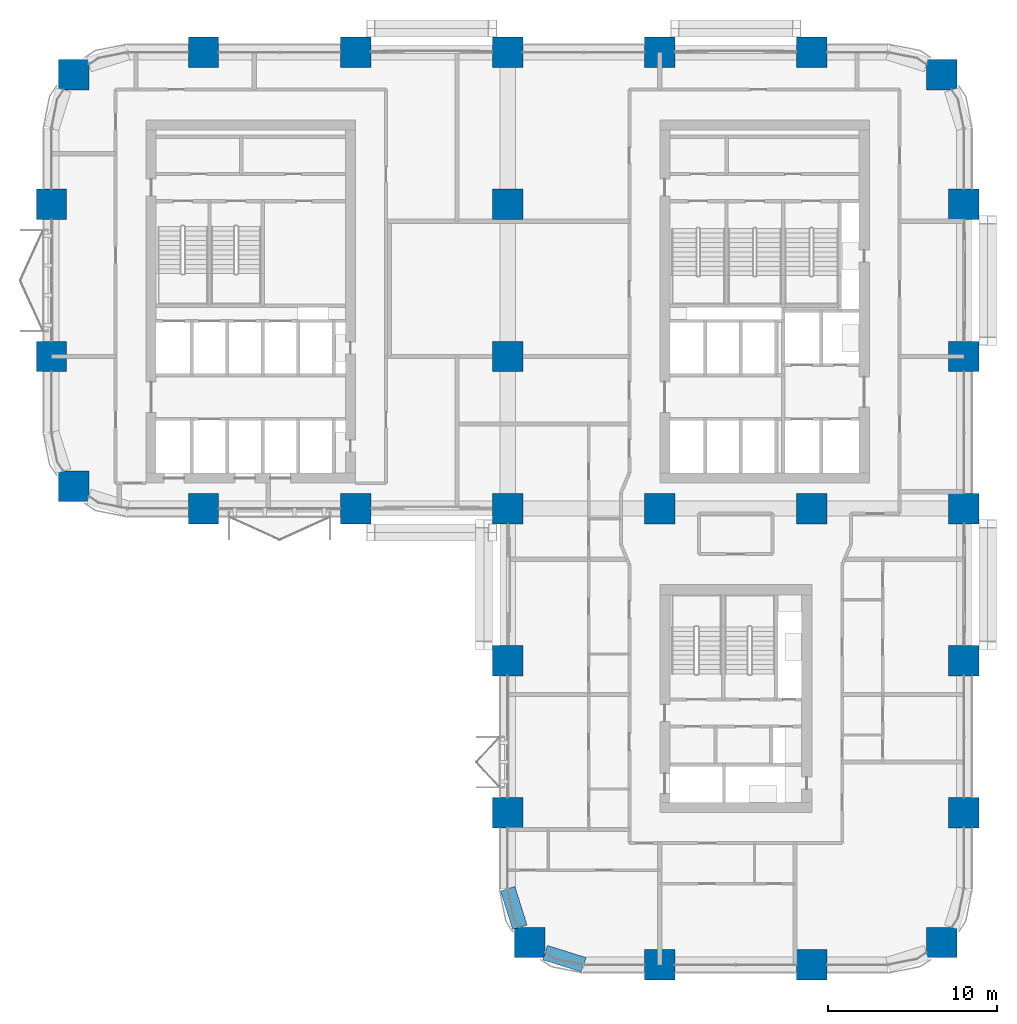
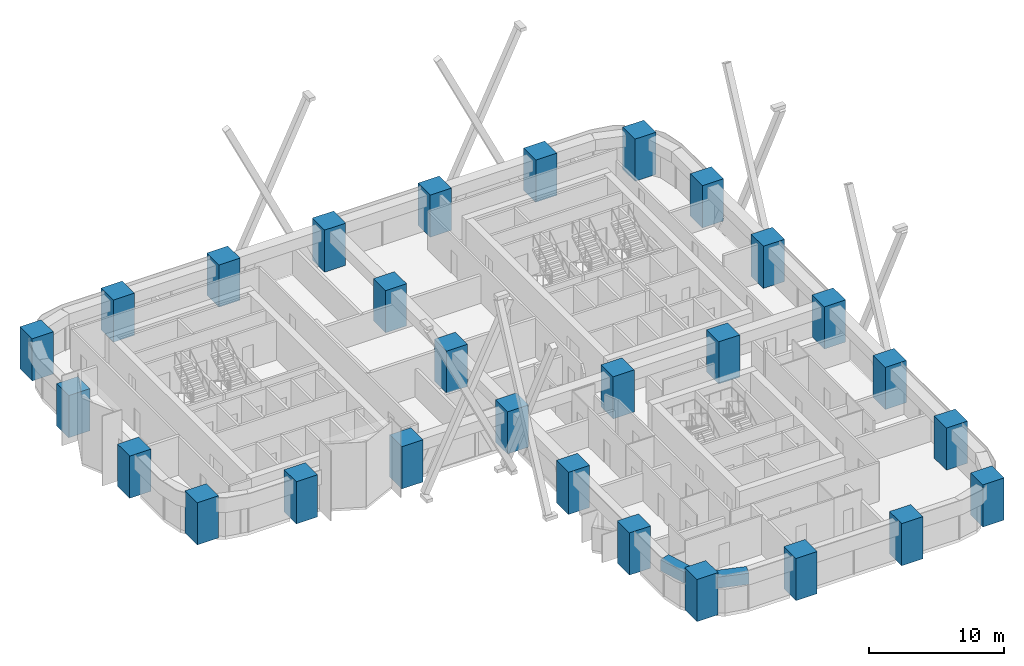
# One storey, part 1 of 19: 28 columns, 2 beams.
"""IFC4 building model written with IfcOpenShell, lengths in metres."""

from ifc_helpers import new_model, si_unit, direction, frame, origin, origin_2d, place, context, subcontext, project, spatial, rectangle, extrude, material, material_profile, profile_set, type_object, element, save


model = new_model("IFC4")

# Units and contexts
model_context = context("Model", 3, precision=1e-05, world=origin(), true_north=direction((0.0, 1.0)))
body_context = subcontext(model_context, "Body", "Model", "MODEL_VIEW")
ifc_project = project(units=[si_unit("LENGTHUNIT", "METRE"), si_unit("AREAUNIT", "SQUARE_METRE"), si_unit("VOLUMEUNIT", "CUBIC_METRE"), si_unit("PLANEANGLEUNIT", "RADIAN"), si_unit("MASSUNIT", "GRAM", prefix="KILO")], contexts=[model_context])

# Site, building, storey
site_placement = place(None, origin())
site = spatial("IfcSite", under=ifc_project, at=site_placement, CompositionType="ELEMENT")
building_placement = place(site_placement, origin())
building = spatial("IfcBuilding", under=site, at=building_placement, Name="Tessera Arch", CompositionType="ELEMENT")
storey_placement = place(building_placement, frame((0.0, 0.0, 108.199951171875)))
storey = spatial("IfcBuildingStorey", under=building, at=storey_placement, Name="L25", CompositionType="ELEMENT", Elevation=108.199951171875)

# Columns
ifc_material_1 = material(Name="Concrete C80/95", Category="concrete")
ifc_material_profile_1 = material_profile(ifc_material_1, rectangle(XDim=1.800048828125, YDim=1.800048828125, at=origin_2d()), Name="RC column 1800 x 1800 Concrete C80/95")
ifc_profile_set_1 = profile_set([ifc_material_profile_1], Name="Concrete C80/95")
column_type = type_object("IfcColumnType", Name="RC column 1800 x 1800 Concrete C80/95", PredefinedType="COLUMN", material=ifc_profile_set_1)
for number, where, z_axis, x_axis, name in (
    (1, (1.318115234375, 28.318115234375, 0.0), (0.0, 0.0, 1.0), (1.0, 0.0, 0.0), "Column C1D L25"),
    (2, (0.0, 36.0, 0.0), (0.0, 0.0, 1.0), (1.0, 0.0, 0.0), "Column C1E L25"),
    (3, (0.0, 45.0, 0.0), (0.0, 0.0, 1.0), (1.0, 0.0, 0.0), "Column C1F L25"),
    (4, (1.318115234375, 52.681884765625, 0.0), (0.0, 0.0, 1.0), (1.0, 0.0, 0.0), "Column C1G L25"),
    (5, (9.0, 27.0, 0.0), (0.0, 0.0, 1.0), (1.0, 0.0, 0.0), "Column C2D L25"),
    (6, (9.0, 54.0, 0.0), (0.0, 0.0, 1.0), (1.0, 0.0, 0.0), "Column C2G L25"),
    (7, (18.0, 27.0, 0.0), (0.0, 0.0, 1.0), (1.0, 0.0, 0.0), "Column C3D L25"),
    (8, (18.0, 54.0, 0.0), (0.0, 0.0, 1.0), (1.0, 0.0, 0.0), "Column C3G L25"),
    (9, (28.318115234375, 1.318115234375, 0.0), (0.0, 0.0, 1.0), (1.0, 0.0, 0.0), "Column C4A L25"),
    (10, (27.0, 9.0, 0.0), (0.0, 0.0, 1.0), (1.0, 0.0, 0.0), "Column C4B L25"),
    (11, (27.0, 18.0, 0.0), (0.0, 0.0, 1.0), (1.0, 0.0, 0.0), "Column C4C L25"),
    (12, (27.0, 27.0, 0.0), (0.0, 0.0, 1.0), (1.0, 0.0, 0.0), "Column C4D L25"),
    (13, (27.0, 36.0, 0.0), (0.0, 0.0, 1.0), (1.0, 0.0, 0.0), "Column C4E L25"),
    (14, (27.0, 45.0, 0.0), (0.0, 0.0, 1.0), (1.0, 0.0, 0.0), "Column C4F L25"),
    (15, (27.0, 54.0, 0.0), (0.0, 0.0, 1.0), (1.0, 0.0, 0.0), "Column C4G L25"),
    (16, (36.0, 0.0, 0.0), (0.0, 0.0, 1.0), (1.0, 0.0, 0.0), "Column C5A L25"),
    (17, (36.0, 27.0, 0.0), (0.0, 0.0, 1.0), (1.0, 0.0, 0.0), "Column C5D L25"),
    (18, (36.0, 54.0, 0.0), (0.0, 0.0, 1.0), (1.0, 0.0, 0.0), "Column C5G L25"),
    (19, (45.0, 0.0, 0.0), (0.0, 0.0, 1.0), (1.0, 0.0, 0.0), "Column C6A L25"),
    (20, (45.0, 27.0, 0.0), (0.0, 0.0, 1.0), (1.0, 0.0, 0.0), "Column C6D L25"),
    (21, (45.0, 54.0, 0.0), (0.0, 0.0, 1.0), (1.0, 0.0, 0.0), "Column C6G L25"),
    (22, (52.681884765625, 1.318115234375, 0.0), (0.0, 0.0, 1.0), (1.0, 0.0, 0.0), "Column C7A L25"),
    (23, (54.0, 9.0, 0.0), (0.0, 0.0, 1.0), (1.0, 0.0, 0.0), "Column C7B L25"),
    (24, (54.0, 18.0, 0.0), (0.0, 0.0, 1.0), (1.0, 0.0, 0.0), "Column C7C L25"),
    (25, (54.0, 27.0, 0.0), (0.0, 0.0, 1.0), (1.0, 0.0, 0.0), "Column C7D L25"),
    (26, (54.0, 36.0, 0.0), (0.0, 0.0, 1.0), (1.0, 0.0, 0.0), "Column C7E L25"),
    (27, (54.0, 45.0, 0.0), (0.0, 0.0, 1.0), (1.0, 0.0, 0.0), "Column C7F L25"),
    (28, (52.681884765625, 52.681884765625, 0.0), (0.0, 0.0, 1.0), (1.0, 0.0, 0.0), "Column C7G L25"),
):
    element("IfcColumn", number, at=place(storey_placement, frame(where, z_axis=z_axis, x_axis=x_axis)), inside=storey, type_object=column_type, Name=name, PredefinedType="COLUMN", context=body_context, shape_type="SweptSolid", body=[
        extrude(rectangle(XDim=1.800048828125, YDim=1.800048828125, at=origin_2d()), origin(), (0.0, 0.0, 1.0), 3.800048828125),
    ])

# Beams
ifc_material_2 = material(Name="Concrete C80/95", Category="concrete")
ifc_material_profile_2 = material_profile(ifc_material_2, rectangle(XDim=0.89990234375, YDim=1.0, at=origin_2d()), Name="RC spandrel beam 900 x 1000 Concrete C80/95")
ifc_profile_set_2 = profile_set([ifc_material_profile_2], Name="Concrete C80/95")
beam_type = type_object("IfcBeamType", Name="RC spandrel beam 900 x 1000 Concrete C80/95", PredefinedType="BEAM", material=ifc_profile_set_2)
for number, where, z_axis, x_axis, name in (
    (29, (27.0, 4.5, 3.0), (0.299675309057, -0.954041251279, 0.0), (0.954041251279, 0.299675309057, 0.0), "Spandrel beam L25 W27.0/2.2"),
    (30, (29.218017578125, 0.716796875, 3.0), (0.954041251279, -0.299675309057, 0.0), (0.299675309057, 0.954041251279, 0.0), "Spandrel beam L25 S0.27/0.1"),
):
    element("IfcBeam", number, at=place(storey_placement, frame(where, z_axis=z_axis, x_axis=x_axis)), inside=storey, type_object=beam_type, Name=name, PredefinedType="BEAM", context=body_context, shape_type="SweptSolid", body=[
        extrude(rectangle(XDim=0.89990234375, YDim=1.0, at=origin_2d()), origin(), (0.0, 0.0, 1.0), 2.391845703125),
    ])

save(model, "model.ifc")
